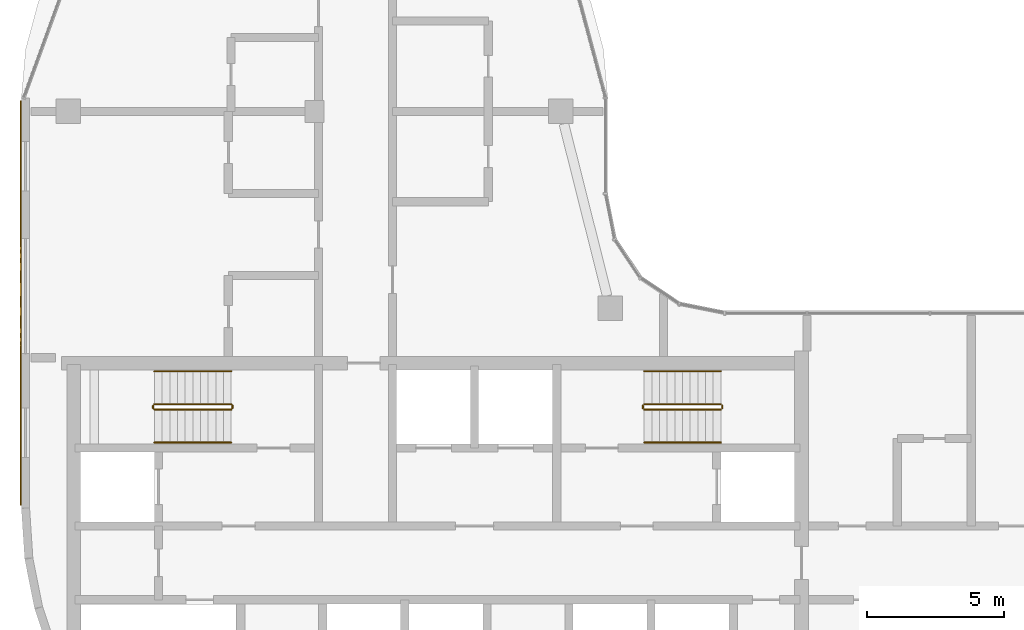
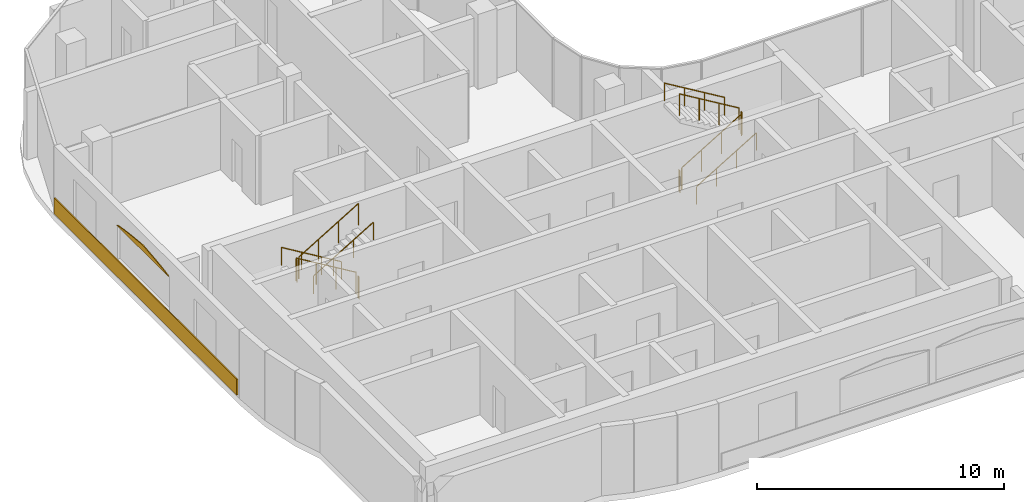
# One storey, part 17 of 19: 12 railings, 2 coverings.
"""IFC4 building model written with IfcOpenShell, lengths in metres."""

from ifc_helpers import new_model, si_unit, direction, frame, origin, origin_2d, place, context, subcontext, project, spatial, polyline, rectangle, circle, outline, extrude, material, layer, layer_set, type_object, element, save


model = new_model("IFC4")

# Units and contexts
model_context = context("Model", 3, precision=1e-05, world=origin(), true_north=direction((0.0, 1.0)))
body_context = subcontext(model_context, "Body", "Model", "MODEL_VIEW")
ifc_project = project(units=[si_unit("LENGTHUNIT", "METRE"), si_unit("AREAUNIT", "SQUARE_METRE"), si_unit("VOLUMEUNIT", "CUBIC_METRE"), si_unit("PLANEANGLEUNIT", "RADIAN"), si_unit("MASSUNIT", "GRAM", prefix="KILO")], contexts=[model_context])

# Site, building, storey
site_placement = place(None, origin())
site = spatial("IfcSite", under=ifc_project, at=site_placement, CompositionType="ELEMENT")
building_placement = place(site_placement, origin())
building = spatial("IfcBuilding", under=site, at=building_placement, Name="Ogive Portal Towers", CompositionType="ELEMENT")
storey_placement = place(building_placement, frame((0.0, 0.0, 203.199951171875)))
storey = spatial("IfcBuildingStorey", under=building, at=storey_placement, Name="L50", CompositionType="ELEMENT", Elevation=203.199951171875)

# Railings
ifc_material_1 = material(Name="Stainless steel balustrade", Category="steel")
railing_type_1 = type_object("IfcRailingType", Name="INT-GUARD", PredefinedType="GUARDRAIL", material=ifc_material_1)
railing_1_placement = place(storey_placement, frame((37.449951171875, 37.800048828125, 0.168212890625)))
element("IfcRailing", 1, at=railing_1_placement, inside=storey, type_object=railing_type_1, Name="L50 ST-A1 stair guard 1", PredefinedType="GUARDRAIL", context=body_context, shape_type="SweptSolid", body=[
    extrude(circle(Radius=0.02392578125, at=origin_2d()), frame((0.0, 0.0, 1.076171875), z_axis=(-0.857242210791, 0.0, 0.514913383045), x_axis=(0.0, -1.0, 0.0)), (0.0, 0.0, 1.0), 3.266357421875),
    extrude(circle(Radius=0.02099609375, at=origin_2d()), origin(), (0.0, 0.0, 1.0), 1.052001953125),
    extrude(circle(Radius=0.02099609375, at=origin_2d()), frame((-0.933349609375, 0.0, 0.560546875)), (0.0, 0.0, 1.0), 1.052001953125),
    extrude(circle(Radius=0.02099609375, at=origin_2d()), frame((-1.86669921875, 0.0, 1.121337890625)), (0.0, 0.0, 1.0), 1.052001953125),
    extrude(circle(Radius=0.02099609375, at=origin_2d()), frame((-2.800048828125, 0.0, 1.681884765625)), (0.0, 0.0, 1.0), 1.052001953125),
])
railing_2_placement = place(storey_placement, frame((34.60009765625, 37.75, 1.85009765625)))
element("IfcRailing", 2, at=railing_2_placement, inside=storey, type_object=railing_type_1, Name="L50 ST-A1 stair guard 2", PredefinedType="GUARDRAIL", context=body_context, shape_type="SweptSolid", body=[
    extrude(circle(Radius=0.02392578125, at=origin_2d()), frame((0.0, 0.0, 1.076171875), z_axis=(0.0, -1.0, 0.0), x_axis=(1.0, 0.0, 0.0)), (0.0, 0.0, 1.0), 0.10009765625),
    extrude(circle(Radius=0.02099609375, at=origin_2d()), origin(), (0.0, 0.0, 1.0), 1.052001953125),
    extrude(circle(Radius=0.02099609375, at=origin_2d()), frame((0.0, -0.10009765625, 0.0)), (0.0, 0.0, 1.0), 1.052001953125),
])
railing_3_placement = place(storey_placement, frame((34.64990234375, 37.60009765625, 2.018310546875)))
element("IfcRailing", 3, at=railing_3_placement, inside=storey, type_object=railing_type_1, Name="L50 ST-A1 stair guard 3", PredefinedType="GUARDRAIL", context=body_context, shape_type="SweptSolid", body=[
    extrude(circle(Radius=0.02392578125, at=origin_2d()), frame((0.0, 0.0, 1.076171875), z_axis=(0.857275202839, 0.0, 0.514858452973), x_axis=(0.0, 1.0, 0.0)), (0.0, 0.0, 1.0), 3.26611328125),
    extrude(circle(Radius=0.02099609375, at=origin_2d()), origin(), (0.0, 0.0, 1.0), 1.052001953125),
    extrude(circle(Radius=0.02099609375, at=origin_2d()), frame((0.933349609375, 0.0, 0.560546875)), (0.0, 0.0, 1.0), 1.052001953125),
    extrude(circle(Radius=0.02099609375, at=origin_2d()), frame((1.86669921875, 0.0, 1.12109375)), (0.0, 0.0, 1.0), 1.052001953125),
    extrude(circle(Radius=0.02099609375, at=origin_2d()), frame((2.800048828125, 0.0, 1.681640625)), (0.0, 0.0, 1.0), 1.052001953125),
])
railing_4_placement = place(storey_placement, frame((37.5, 37.75, 0.0)))
element("IfcRailing", 4, at=railing_4_placement, inside=storey, type_object=railing_type_1, Name="L50 ST-A1 stair guard 4", PredefinedType="GUARDRAIL", context=body_context, shape_type="SweptSolid", body=[
    extrude(circle(Radius=0.02392578125, at=origin_2d()), frame((0.0, 0.0, 1.076171875), z_axis=(0.0, -1.0, 0.0), x_axis=(1.0, 0.0, 0.0)), (0.0, 0.0, 1.0), 0.10009765625),
    extrude(circle(Radius=0.02099609375, at=origin_2d()), origin(), (0.0, 0.0, 1.0), 1.052001953125),
    extrude(circle(Radius=0.02099609375, at=origin_2d()), frame((0.0, -0.10009765625, 0.0)), (0.0, 0.0, 1.0), 1.052001953125),
])
railing_5_placement = place(storey_placement, frame((52.550048828125, 37.60009765625, 0.168212890625)))
element("IfcRailing", 5, at=railing_5_placement, inside=storey, type_object=railing_type_1, Name="L50 ST-A2 stair guard 1", PredefinedType="GUARDRAIL", context=body_context, shape_type="SweptSolid", body=[
    extrude(circle(Radius=0.02392578125, at=origin_2d()), frame((0.0, 0.0, 1.076171875), z_axis=(0.857242210791, 0.0, 0.514913383045), x_axis=(0.0, 1.0, 0.0)), (0.0, 0.0, 1.0), 3.266357421875),
    extrude(circle(Radius=0.02099609375, at=origin_2d()), origin(), (0.0, 0.0, 1.0), 1.052001953125),
    extrude(circle(Radius=0.02099609375, at=origin_2d()), frame((0.933349609375, 0.0, 0.560546875)), (0.0, 0.0, 1.0), 1.052001953125),
    extrude(circle(Radius=0.02099609375, at=origin_2d()), frame((1.86669921875, 0.0, 1.121337890625)), (0.0, 0.0, 1.0), 1.052001953125),
    extrude(circle(Radius=0.02099609375, at=origin_2d()), frame((2.800048828125, 0.0, 1.681884765625)), (0.0, 0.0, 1.0), 1.052001953125),
])
railing_6_placement = place(storey_placement, frame((55.39990234375, 37.64990234375, 1.85009765625)))
element("IfcRailing", 6, at=railing_6_placement, inside=storey, type_object=railing_type_1, Name="L50 ST-A2 stair guard 2", PredefinedType="GUARDRAIL", context=body_context, shape_type="SweptSolid", body=[
    extrude(circle(Radius=0.02392578125, at=origin_2d()), frame((0.0, 0.0, 1.076171875), z_axis=(0.0, 1.0, 0.0), x_axis=(-1.0, 0.0, 0.0)), (0.0, 0.0, 1.0), 0.10009765625),
    extrude(circle(Radius=0.02099609375, at=origin_2d()), origin(), (0.0, 0.0, 1.0), 1.052001953125),
    extrude(circle(Radius=0.02099609375, at=origin_2d()), frame((0.0, 0.10009765625, 0.0)), (0.0, 0.0, 1.0), 1.052001953125),
])
railing_7_placement = place(storey_placement, frame((55.35009765625, 37.800048828125, 2.018310546875)))
element("IfcRailing", 7, at=railing_7_placement, inside=storey, type_object=railing_type_1, Name="L50 ST-A2 stair guard 3", PredefinedType="GUARDRAIL", context=body_context, shape_type="SweptSolid", body=[
    extrude(circle(Radius=0.02392578125, at=origin_2d()), frame((0.0, 0.0, 1.076171875), z_axis=(-0.857275202839, 0.0, 0.514858452973), x_axis=(0.0, -1.0, 0.0)), (0.0, 0.0, 1.0), 3.26611328125),
    extrude(circle(Radius=0.02099609375, at=origin_2d()), origin(), (0.0, 0.0, 1.0), 1.052001953125),
    extrude(circle(Radius=0.02099609375, at=origin_2d()), frame((-0.933349609375, 0.0, 0.560546875)), (0.0, 0.0, 1.0), 1.052001953125),
    extrude(circle(Radius=0.02099609375, at=origin_2d()), frame((-1.86669921875, 0.0, 1.12109375)), (0.0, 0.0, 1.0), 1.052001953125),
    extrude(circle(Radius=0.02099609375, at=origin_2d()), frame((-2.800048828125, 0.0, 1.681640625)), (0.0, 0.0, 1.0), 1.052001953125),
])
railing_8_placement = place(storey_placement, frame((52.5, 37.64990234375, 0.0)))
element("IfcRailing", 8, at=railing_8_placement, inside=storey, type_object=railing_type_1, Name="L50 ST-A2 stair guard 4", PredefinedType="GUARDRAIL", context=body_context, shape_type="SweptSolid", body=[
    extrude(circle(Radius=0.02392578125, at=origin_2d()), frame((0.0, 0.0, 1.076171875), z_axis=(0.0, 1.0, 0.0), x_axis=(-1.0, 0.0, 0.0)), (0.0, 0.0, 1.0), 0.10009765625),
    extrude(circle(Radius=0.02099609375, at=origin_2d()), origin(), (0.0, 0.0, 1.0), 1.052001953125),
    extrude(circle(Radius=0.02099609375, at=origin_2d()), frame((0.0, 0.10009765625, 0.0)), (0.0, 0.0, 1.0), 1.052001953125),
])
ifc_material_2 = material(Name="Stainless steel handrail", Category="steel")
railing_type_2 = type_object("IfcRailingType", Name="INT-HANDRAIL", PredefinedType="HANDRAIL", material=ifc_material_2)
railing_9_placement = place(storey_placement, frame((37.449951171875, 39.0, 0.168212890625)))
element("IfcRailing", 9, at=railing_9_placement, inside=storey, type_object=railing_type_2, Name="L50 ST-A1 stair handrail 1", PredefinedType="HANDRAIL", context=body_context, shape_type="SweptSolid", body=[
    extrude(circle(Radius=0.02392578125, at=origin_2d()), frame((0.0, 0.0, 0.8759765625), z_axis=(-0.857242210791, 0.0, 0.514913383045), x_axis=(0.0, -1.0, 0.0)), (0.0, 0.0, 1.0), 3.266357421875),
    extrude(circle(Radius=0.02099609375, at=origin_2d()), origin(), (0.0, 0.0, 1.0), 0.851806640625),
    extrude(circle(Radius=0.02099609375, at=origin_2d()), frame((-0.933349609375, 0.0, 0.560546875)), (0.0, 0.0, 1.0), 0.851806640625),
    extrude(circle(Radius=0.02099609375, at=origin_2d()), frame((-1.86669921875, 0.0, 1.121337890625)), (0.0, 0.0, 1.0), 0.851806640625),
    extrude(circle(Radius=0.02099609375, at=origin_2d()), frame((-2.800048828125, 0.0, 1.681884765625)), (0.0, 0.0, 1.0), 0.851806640625),
])
railing_10_placement = place(storey_placement, frame((34.64990234375, 36.39990234375, 2.018310546875)))
element("IfcRailing", 10, at=railing_10_placement, inside=storey, type_object=railing_type_2, Name="L50 ST-A1 stair handrail 2", PredefinedType="HANDRAIL", context=body_context, shape_type="SweptSolid", body=[
    extrude(circle(Radius=0.02392578125, at=origin_2d()), frame((0.0, 0.0, 0.8759765625), z_axis=(0.857275202839, 0.0, 0.514858452973), x_axis=(0.0, 1.0, 0.0)), (0.0, 0.0, 1.0), 3.26611328125),
    extrude(circle(Radius=0.02099609375, at=origin_2d()), origin(), (0.0, 0.0, 1.0), 0.851806640625),
    extrude(circle(Radius=0.02099609375, at=origin_2d()), frame((0.933349609375, 0.0, 0.560546875)), (0.0, 0.0, 1.0), 0.851806640625),
    extrude(circle(Radius=0.02099609375, at=origin_2d()), frame((1.86669921875, 0.0, 1.12109375)), (0.0, 0.0, 1.0), 0.851806640625),
    extrude(circle(Radius=0.02099609375, at=origin_2d()), frame((2.800048828125, 0.0, 1.681640625)), (0.0, 0.0, 1.0), 0.851806640625),
])
railing_11_placement = place(storey_placement, frame((52.550048828125, 36.39990234375, 0.168212890625)))
element("IfcRailing", 11, at=railing_11_placement, inside=storey, type_object=railing_type_2, Name="L50 ST-A2 stair handrail 1", PredefinedType="HANDRAIL", context=body_context, shape_type="SweptSolid", body=[
    extrude(circle(Radius=0.02392578125, at=origin_2d()), frame((0.0, 0.0, 0.8759765625), z_axis=(0.857242210791, 0.0, 0.514913383045), x_axis=(0.0, 1.0, 0.0)), (0.0, 0.0, 1.0), 3.266357421875),
    extrude(circle(Radius=0.02099609375, at=origin_2d()), origin(), (0.0, 0.0, 1.0), 0.851806640625),
    extrude(circle(Radius=0.02099609375, at=origin_2d()), frame((0.933349609375, 0.0, 0.560546875)), (0.0, 0.0, 1.0), 0.851806640625),
    extrude(circle(Radius=0.02099609375, at=origin_2d()), frame((1.86669921875, 0.0, 1.121337890625)), (0.0, 0.0, 1.0), 0.851806640625),
    extrude(circle(Radius=0.02099609375, at=origin_2d()), frame((2.800048828125, 0.0, 1.681884765625)), (0.0, 0.0, 1.0), 0.851806640625),
])
railing_12_placement = place(storey_placement, frame((55.35009765625, 39.0, 2.018310546875)))
element("IfcRailing", 12, at=railing_12_placement, inside=storey, type_object=railing_type_2, Name="L50 ST-A2 stair handrail 2", PredefinedType="HANDRAIL", context=body_context, shape_type="SweptSolid", body=[
    extrude(circle(Radius=0.02392578125, at=origin_2d()), frame((0.0, 0.0, 0.8759765625), z_axis=(-0.857275202839, 0.0, 0.514858452973), x_axis=(0.0, -1.0, 0.0)), (0.0, 0.0, 1.0), 3.26611328125),
    extrude(circle(Radius=0.02099609375, at=origin_2d()), origin(), (0.0, 0.0, 1.0), 0.851806640625),
    extrude(circle(Radius=0.02099609375, at=origin_2d()), frame((-0.933349609375, 0.0, 0.560546875)), (0.0, 0.0, 1.0), 0.851806640625),
    extrude(circle(Radius=0.02099609375, at=origin_2d()), frame((-1.86669921875, 0.0, 1.12109375)), (0.0, 0.0, 1.0), 0.851806640625),
    extrude(circle(Radius=0.02099609375, at=origin_2d()), frame((-2.800048828125, 0.0, 1.681640625)), (0.0, 0.0, 1.0), 0.851806640625),
])

# Coverings
ifc_material_3 = material(Name="Limestone cladding on lightweight block wall", Category="masonry")
ifc_layer_1 = layer(ifc_material_3, 0.0400390625)
ifc_layer_set_1 = layer_set([ifc_layer_1], Name="LANCET HEAD STONE")
covering_type_1 = type_object("IfcCoveringType", Name="LANCET HEAD STONE", PredefinedType="CLADDING", material=ifc_layer_set_1)
covering_1_placement = place(storey_placement, frame((29.784912109375, 43.85009765625, 2.60009765625), z_axis=(0.999955558891, 0.0, 0.009427631938), x_axis=(0.0, -1.0, 0.0)))
element("IfcCovering", 13, at=covering_1_placement, inside=storey, type_object=covering_type_1, Name="Lancet head", PredefinedType="CLADDING", context=body_context, shape_type="SweptSolid", body=[
    extrude(outline(polyline([(0.0, 0.0), (4.2001953125, 0.0), (4.107177734375, -0.03735415726127601), (3.9375, -0.0749547459656255), (3.7177734375, -0.11255303300202127), (3.45751953125, -0.149909491931251), (3.162353515625, -0.18750777896764678), (2.836181640625, -0.2248642378968765), (2.481201171875, -0.26246252493327227), (2.10009765625, -0.3000631136376218), (1.718994140625, -0.26246252493327227), (1.364013671875, -0.2248642378968765), (1.037841796875, -0.18750777896764678), (0.74267578125, -0.149909491931251), (0.482421875, -0.11255303300202127), (0.2626953125, -0.0749547459656255), (0.093017578125, -0.03735415726127601), (0.0, 0.0)])), origin(), (0.0, 0.0, -1.0), 0.0400390625),
])
ifc_layer_2 = layer(ifc_material_3, 0.050048828125)
ifc_layer_set_2 = layer_set([ifc_layer_2], Name="SCREEN PERFORATED STONE")
covering_type_2 = type_object("IfcCoveringType", Name="SCREEN PERFORATED STONE", PredefinedType="CLADDING", material=ifc_layer_set_2)
covering_2_placement = place(storey_placement, frame((29.760009765625, 41.497802734375, 0.10009765625), z_axis=(0.0, 0.0, 1.0), x_axis=(0.0, -1.0, 0.0)))
element("IfcCovering", 14, at=covering_2_placement, inside=storey, type_object=covering_type_2, Name="Tracery screen", PredefinedType="CLADDING", context=body_context, shape_type="SweptSolid", body=[
    extrude(rectangle(XDim=14.776123046875, YDim=0.050048828125, at=origin_2d()), origin(), (0.0, 0.0, 1.0), 0.800048828125),
])

save(model, "model.ifc")
